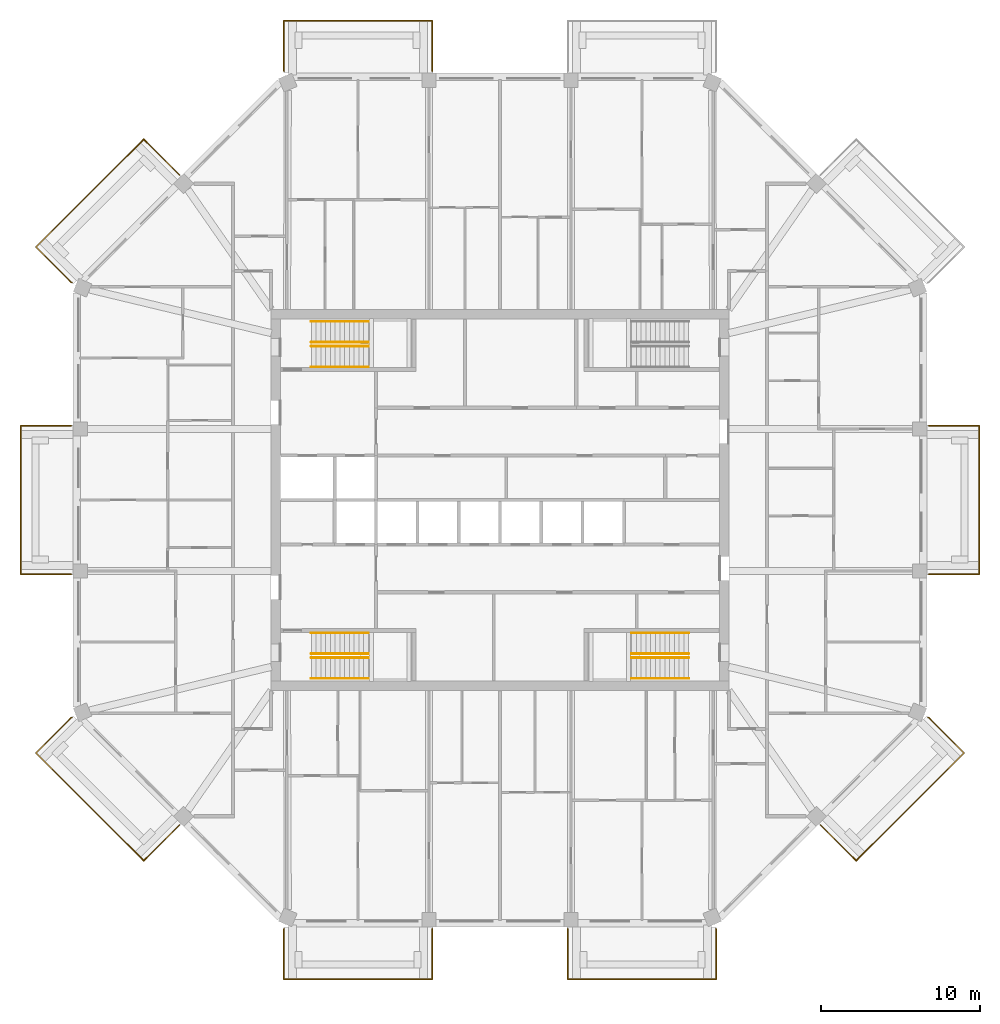
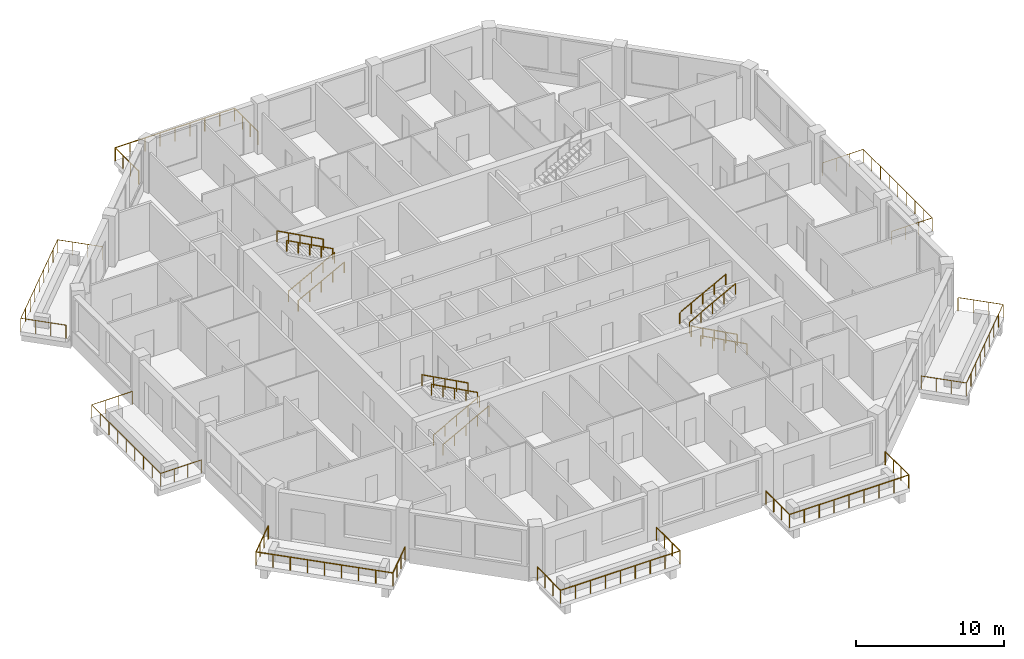
# One storey, part 12 of 13: 20 railings.
"""IFC4 building model written with IfcOpenShell, lengths in metres."""

from ifc_helpers import new_model, si_unit, direction, frame, origin, origin_2d, place, context, subcontext, project, spatial, circle, extrude, material, constituent, constituent_set, type_object, element, save


model = new_model("IFC4")

# Units and contexts
model_context = context("Model", 3, precision=1e-05, world=origin(), true_north=direction((0.0, 1.0)))
body_context = subcontext(model_context, "Body", "Model", "MODEL_VIEW")
ifc_project = project(units=[si_unit("LENGTHUNIT", "METRE"), si_unit("AREAUNIT", "SQUARE_METRE"), si_unit("VOLUMEUNIT", "CUBIC_METRE"), si_unit("PLANEANGLEUNIT", "RADIAN"), si_unit("MASSUNIT", "GRAM", prefix="KILO")], contexts=[model_context])

# Site, building, storey
site_placement = place(None, origin())
site = spatial("IfcSite", under=ifc_project, at=site_placement, CompositionType="ELEMENT")
building_placement = place(site_placement, origin())
building = spatial("IfcBuilding", under=site, at=building_placement, Name="Msitu Wima Residences", CompositionType="ELEMENT")
storey_placement = place(building_placement, frame((0.0, 0.0, 281.10009765625)))
storey = spatial("IfcBuildingStorey", under=building, at=storey_placement, Name="L65", CompositionType="ELEMENT", Elevation=281.10009765625)

# Railings
ifc_material_1 = material(Name="Steel S355", Category="steel")
ifc_constituent_1 = constituent(ifc_material_1, Name="Steel S355")
ifc_material_2 = material(Name="Weathering patina")
ifc_constituent_2 = constituent(ifc_material_2, Name="Weathering patina")
ifc_constituent_set_1 = constituent_set(constituents=[ifc_constituent_1, ifc_constituent_2], Name="Steel S355")
railing_type_1 = type_object("IfcRailingType", Name="Balcony guard GR1100", PredefinedType="GUARDRAIL", material=ifc_constituent_set_1)
railing_1_placement = place(storey_placement, frame((26.97998046875, 4.668701171875, 0.0)))
element("IfcRailing", 1, at=railing_1_placement, inside=storey, type_object=railing_type_1, Name="Balcony guard E1 L65", PredefinedType="GUARDRAIL", context=body_context, shape_type="SweptSolid", body=[
    extrude(circle(Radius=0.02392578125, at=origin_2d()), frame((0.0, 0.0, 1.076171875), z_axis=(1.0, 0.0, 0.0), x_axis=(0.0, 1.0, 0.0)), (0.0, 0.0, 1.0), 3.169921875),
    extrude(circle(Radius=0.02392578125, at=origin_2d()), frame((3.169921875, 0.0, 1.076171875), z_axis=(0.0, -1.0, 0.0), x_axis=(1.0, 0.0, 0.0)), (0.0, 0.0, 1.0), 9.33740234375),
    extrude(circle(Radius=0.02392578125, at=origin_2d()), frame((3.169921875, -9.33740234375, 1.076171875), z_axis=(-1.0, 0.0, 0.0), x_axis=(0.0, -1.0, 0.0)), (0.0, 0.0, 1.0), 3.169921875),
    extrude(circle(Radius=0.02099609375, at=origin_2d()), origin(), (0.0, 0.0, 1.0), 1.052001953125),
    extrude(circle(Radius=0.02099609375, at=origin_2d()), frame((1.056640625, 0.0, 0.0)), (0.0, 0.0, 1.0), 1.052001953125),
    extrude(circle(Radius=0.02099609375, at=origin_2d()), frame((2.11328125, 0.0, 0.0)), (0.0, 0.0, 1.0), 1.052001953125),
    extrude(circle(Radius=0.02099609375, at=origin_2d()), frame((3.169921875, 0.0, 0.0)), (0.0, 0.0, 1.0), 1.052001953125),
    extrude(circle(Radius=0.02099609375, at=origin_2d()), frame((3.169921875, -1.167236328125, 0.0)), (0.0, 0.0, 1.0), 1.052001953125),
    extrude(circle(Radius=0.02099609375, at=origin_2d()), frame((3.169921875, -2.33447265625, 0.0)), (0.0, 0.0, 1.0), 1.052001953125),
    extrude(circle(Radius=0.02099609375, at=origin_2d()), frame((3.169921875, -3.50146484375, 0.0)), (0.0, 0.0, 1.0), 1.052001953125),
    extrude(circle(Radius=0.02099609375, at=origin_2d()), frame((3.169921875, -4.668701171875, 0.0)), (0.0, 0.0, 1.0), 1.052001953125),
    extrude(circle(Radius=0.02099609375, at=origin_2d()), frame((3.169921875, -5.8359375, 0.0)), (0.0, 0.0, 1.0), 1.052001953125),
    extrude(circle(Radius=0.02099609375, at=origin_2d()), frame((3.169921875, -7.0029296875, 0.0)), (0.0, 0.0, 1.0), 1.052001953125),
    extrude(circle(Radius=0.02099609375, at=origin_2d()), frame((3.169921875, -8.170166015625, 0.0)), (0.0, 0.0, 1.0), 1.052001953125),
    extrude(circle(Radius=0.02099609375, at=origin_2d()), frame((3.169921875, -9.33740234375, 0.0)), (0.0, 0.0, 1.0), 1.052001953125),
    extrude(circle(Radius=0.02099609375, at=origin_2d()), frame((2.11328125, -9.33740234375, 0.0)), (0.0, 0.0, 1.0), 1.052001953125),
    extrude(circle(Radius=0.02099609375, at=origin_2d()), frame((1.056640625, -9.33740234375, 0.0)), (0.0, 0.0, 1.0), 1.052001953125),
    extrude(circle(Radius=0.02099609375, at=origin_2d()), frame((0.0, -9.33740234375, 0.0)), (0.0, 0.0, 1.0), 1.052001953125),
])
railing_2_placement = place(storey_placement, frame((-13.592041015625, 26.97998046875, 0.0)))
element("IfcRailing", 2, at=railing_2_placement, inside=storey, type_object=railing_type_1, Name="Balcony guard N2 L65", PredefinedType="GUARDRAIL", context=body_context, shape_type="SweptSolid", body=[
    extrude(circle(Radius=0.02392578125, at=origin_2d()), frame((0.0, 0.0, 1.076171875), z_axis=(-0.384136806859, 0.923276184907, 0.0), x_axis=(-0.923276184907, -0.384136806859, 0.0)), (0.0, 0.0, 1.0), 0.0361328125),
    extrude(circle(Radius=0.02392578125, at=origin_2d()), frame((-0.013916015625, 0.033447265625, 1.076171875), z_axis=(0.0, 1.0, 0.0), x_axis=(-1.0, 0.0, 0.0)), (0.0, 0.0, 1.0), 3.136474609375),
    extrude(circle(Radius=0.02392578125, at=origin_2d()), frame((-0.013916015625, 3.169921875, 1.076171875), z_axis=(1.0, 0.0, 0.0), x_axis=(0.0, 1.0, 0.0)), (0.0, 0.0, 1.0), 9.33740234375),
    extrude(circle(Radius=0.02392578125, at=origin_2d()), frame((9.323486328125, 3.169921875, 1.076171875), z_axis=(0.0, -1.0, 0.0), x_axis=(1.0, 0.0, 0.0)), (0.0, 0.0, 1.0), 3.169921875),
    extrude(circle(Radius=0.02099609375, at=origin_2d()), origin(), (0.0, 0.0, 1.0), 1.052001953125),
    extrude(circle(Radius=0.02099609375, at=origin_2d()), frame((-0.013916015625, 0.033447265625, 0.0)), (0.0, 0.0, 1.0), 1.052001953125),
    extrude(circle(Radius=0.02099609375, at=origin_2d()), frame((-0.013916015625, 1.078857421875, 0.0)), (0.0, 0.0, 1.0), 1.052001953125),
    extrude(circle(Radius=0.02099609375, at=origin_2d()), frame((-0.013916015625, 2.12451171875, 0.0)), (0.0, 0.0, 1.0), 1.052001953125),
    extrude(circle(Radius=0.02099609375, at=origin_2d()), frame((-0.013916015625, 3.169921875, 0.0)), (0.0, 0.0, 1.0), 1.052001953125),
    extrude(circle(Radius=0.02099609375, at=origin_2d()), frame((1.1533203125, 3.169921875, 0.0)), (0.0, 0.0, 1.0), 1.052001953125),
    extrude(circle(Radius=0.02099609375, at=origin_2d()), frame((2.3203125, 3.169921875, 0.0)), (0.0, 0.0, 1.0), 1.052001953125),
    extrude(circle(Radius=0.02099609375, at=origin_2d()), frame((3.487548828125, 3.169921875, 0.0)), (0.0, 0.0, 1.0), 1.052001953125),
    extrude(circle(Radius=0.02099609375, at=origin_2d()), frame((4.65478515625, 3.169921875, 0.0)), (0.0, 0.0, 1.0), 1.052001953125),
    extrude(circle(Radius=0.02099609375, at=origin_2d()), frame((5.822021484375, 3.169921875, 0.0)), (0.0, 0.0, 1.0), 1.052001953125),
    extrude(circle(Radius=0.02099609375, at=origin_2d()), frame((6.9892578125, 3.169921875, 0.0)), (0.0, 0.0, 1.0), 1.052001953125),
    extrude(circle(Radius=0.02099609375, at=origin_2d()), frame((8.15625, 3.169921875, 0.0)), (0.0, 0.0, 1.0), 1.052001953125),
    extrude(circle(Radius=0.02099609375, at=origin_2d()), frame((9.323486328125, 3.169921875, 0.0)), (0.0, 0.0, 1.0), 1.052001953125),
    extrude(circle(Radius=0.02099609375, at=origin_2d()), frame((9.323486328125, 2.11328125, 0.0)), (0.0, 0.0, 1.0), 1.052001953125),
    extrude(circle(Radius=0.02099609375, at=origin_2d()), frame((9.323486328125, 1.056640625, 0.0)), (0.0, 0.0, 1.0), 1.052001953125),
    extrude(circle(Radius=0.02099609375, at=origin_2d()), frame((9.323486328125, 0.0, 0.0)), (0.0, 0.0, 1.0), 1.052001953125),
])
railing_3_placement = place(storey_placement, frame((-26.941650390625, 13.684326171875, 0.0)))
element("IfcRailing", 3, at=railing_3_placement, inside=storey, type_object=railing_type_1, Name="Balcony guard NW1 L65", PredefinedType="GUARDRAIL", context=body_context, shape_type="SweptSolid", body=[
    extrude(circle(Radius=0.02392578125, at=origin_2d()), frame((0.0, 0.0, 1.076171875), z_axis=(-0.92426142649, 0.38176015442, 0.0), x_axis=(-0.38176015442, -0.92426142649, 0.0)), (0.0, 0.0, 1.0), 0.036376953125),
    extrude(circle(Radius=0.02392578125, at=origin_2d()), frame((-0.03369140625, 0.013916015625, 1.076171875), z_axis=(-0.707106781187, 0.707106781187, 0.0), x_axis=(-0.707106781187, -0.707106781187, 0.0)), (0.0, 0.0, 1.0), 3.136474609375),
    extrude(circle(Radius=0.02392578125, at=origin_2d()), frame((-2.25146484375, 2.231689453125, 1.076171875), z_axis=(0.707106781187, 0.707106781187, 0.0), x_axis=(-0.707106781187, 0.707106781187, 0.0)), (0.0, 0.0, 1.0), 9.58837890625),
    extrude(circle(Radius=0.02392578125, at=origin_2d()), frame((4.528564453125, 9.01171875, 1.076171875), z_axis=(0.707106781187, -0.707106781187, 0.0), x_axis=(0.707106781187, 0.707106781187, 0.0)), (0.0, 0.0, 1.0), 3.169921875),
    extrude(circle(Radius=0.02099609375, at=origin_2d()), origin(), (0.0, 0.0, 1.0), 1.052001953125),
    extrude(circle(Radius=0.02099609375, at=origin_2d()), frame((-0.03369140625, 0.013916015625, 0.0)), (0.0, 0.0, 1.0), 1.052001953125),
    extrude(circle(Radius=0.02099609375, at=origin_2d()), frame((-0.77294921875, 0.753173828125, 0.0)), (0.0, 0.0, 1.0), 1.052001953125),
    extrude(circle(Radius=0.02099609375, at=origin_2d()), frame((-1.51220703125, 1.492431640625, 0.0)), (0.0, 0.0, 1.0), 1.052001953125),
    extrude(circle(Radius=0.02099609375, at=origin_2d()), frame((-2.25146484375, 2.231689453125, 0.0)), (0.0, 0.0, 1.0), 1.052001953125),
    extrude(circle(Radius=0.02099609375, at=origin_2d()), frame((-1.404052734375, 3.0791015625, 0.0)), (0.0, 0.0, 1.0), 1.052001953125),
    extrude(circle(Radius=0.02099609375, at=origin_2d()), frame((-0.556396484375, 3.9267578125, 0.0)), (0.0, 0.0, 1.0), 1.052001953125),
    extrude(circle(Radius=0.02099609375, at=origin_2d()), frame((0.291015625, 4.774169921875, 0.0)), (0.0, 0.0, 1.0), 1.052001953125),
    extrude(circle(Radius=0.02099609375, at=origin_2d()), frame((1.138671875, 5.62158203125, 0.0)), (0.0, 0.0, 1.0), 1.052001953125),
    extrude(circle(Radius=0.02099609375, at=origin_2d()), frame((1.986083984375, 6.46923828125, 0.0)), (0.0, 0.0, 1.0), 1.052001953125),
    extrude(circle(Radius=0.02099609375, at=origin_2d()), frame((2.83349609375, 7.316650390625, 0.0)), (0.0, 0.0, 1.0), 1.052001953125),
    extrude(circle(Radius=0.02099609375, at=origin_2d()), frame((3.68115234375, 8.164306640625, 0.0)), (0.0, 0.0, 1.0), 1.052001953125),
    extrude(circle(Radius=0.02099609375, at=origin_2d()), frame((4.528564453125, 9.01171875, 0.0)), (0.0, 0.0, 1.0), 1.052001953125),
    extrude(circle(Radius=0.02099609375, at=origin_2d()), frame((5.275634765625, 8.2646484375, 0.0)), (0.0, 0.0, 1.0), 1.052001953125),
    extrude(circle(Radius=0.02099609375, at=origin_2d()), frame((6.02294921875, 7.517333984375, 0.0)), (0.0, 0.0, 1.0), 1.052001953125),
    extrude(circle(Radius=0.02099609375, at=origin_2d()), frame((6.77001953125, 6.770263671875, 0.0)), (0.0, 0.0, 1.0), 1.052001953125),
])
railing_4_placement = place(storey_placement, frame((-26.97998046875, -4.668701171875, 0.0)))
element("IfcRailing", 4, at=railing_4_placement, inside=storey, type_object=railing_type_1, Name="Balcony guard W1 L65", PredefinedType="GUARDRAIL", context=body_context, shape_type="SweptSolid", body=[
    extrude(circle(Radius=0.02392578125, at=origin_2d()), frame((0.0, 0.0, 1.076171875), z_axis=(-1.0, 0.0, 0.0), x_axis=(0.0, -1.0, 0.0)), (0.0, 0.0, 1.0), 3.169921875),
    extrude(circle(Radius=0.02392578125, at=origin_2d()), frame((-3.169921875, 0.0, 1.076171875), z_axis=(0.0, 1.0, 0.0), x_axis=(-1.0, 0.0, 0.0)), (0.0, 0.0, 1.0), 9.33740234375),
    extrude(circle(Radius=0.02392578125, at=origin_2d()), frame((-3.169921875, 9.33740234375, 1.076171875), z_axis=(1.0, 0.0, 0.0), x_axis=(0.0, 1.0, 0.0)), (0.0, 0.0, 1.0), 3.169921875),
    extrude(circle(Radius=0.02099609375, at=origin_2d()), origin(), (0.0, 0.0, 1.0), 1.052001953125),
    extrude(circle(Radius=0.02099609375, at=origin_2d()), frame((-1.056640625, 0.0, 0.0)), (0.0, 0.0, 1.0), 1.052001953125),
    extrude(circle(Radius=0.02099609375, at=origin_2d()), frame((-2.11328125, 0.0, 0.0)), (0.0, 0.0, 1.0), 1.052001953125),
    extrude(circle(Radius=0.02099609375, at=origin_2d()), frame((-3.169921875, 0.0, 0.0)), (0.0, 0.0, 1.0), 1.052001953125),
    extrude(circle(Radius=0.02099609375, at=origin_2d()), frame((-3.169921875, 1.167236328125, 0.0)), (0.0, 0.0, 1.0), 1.052001953125),
    extrude(circle(Radius=0.02099609375, at=origin_2d()), frame((-3.169921875, 2.33447265625, 0.0)), (0.0, 0.0, 1.0), 1.052001953125),
    extrude(circle(Radius=0.02099609375, at=origin_2d()), frame((-3.169921875, 3.50146484375, 0.0)), (0.0, 0.0, 1.0), 1.052001953125),
    extrude(circle(Radius=0.02099609375, at=origin_2d()), frame((-3.169921875, 4.668701171875, 0.0)), (0.0, 0.0, 1.0), 1.052001953125),
    extrude(circle(Radius=0.02099609375, at=origin_2d()), frame((-3.169921875, 5.8359375, 0.0)), (0.0, 0.0, 1.0), 1.052001953125),
    extrude(circle(Radius=0.02099609375, at=origin_2d()), frame((-3.169921875, 7.0029296875, 0.0)), (0.0, 0.0, 1.0), 1.052001953125),
    extrude(circle(Radius=0.02099609375, at=origin_2d()), frame((-3.169921875, 8.170166015625, 0.0)), (0.0, 0.0, 1.0), 1.052001953125),
    extrude(circle(Radius=0.02099609375, at=origin_2d()), frame((-3.169921875, 9.33740234375, 0.0)), (0.0, 0.0, 1.0), 1.052001953125),
    extrude(circle(Radius=0.02099609375, at=origin_2d()), frame((-2.11328125, 9.33740234375, 0.0)), (0.0, 0.0, 1.0), 1.052001953125),
    extrude(circle(Radius=0.02099609375, at=origin_2d()), frame((-1.056640625, 9.33740234375, 0.0)), (0.0, 0.0, 1.0), 1.052001953125),
    extrude(circle(Radius=0.02099609375, at=origin_2d()), frame((0.0, 9.33740234375, 0.0)), (0.0, 0.0, 1.0), 1.052001953125),
])
railing_5_placement = place(storey_placement, frame((-20.171630859375, -20.45458984375, 0.0)))
element("IfcRailing", 5, at=railing_5_placement, inside=storey, type_object=railing_type_1, Name="Balcony guard SW0 L65", PredefinedType="GUARDRAIL", context=body_context, shape_type="SweptSolid", body=[
    extrude(circle(Radius=0.02392578125, at=origin_2d()), frame((0.0, 0.0, 1.076171875), z_axis=(-0.707106781187, -0.707106781187, 0.0), x_axis=(0.707106781187, -0.707106781187, 0.0)), (0.0, 0.0, 1.0), 3.169921875),
    extrude(circle(Radius=0.02392578125, at=origin_2d()), frame((-2.241455078125, -2.241455078125, 1.076171875), z_axis=(-0.707106781187, 0.707106781187, 0.0), x_axis=(-0.707106781187, -0.707106781187, 0.0)), (0.0, 0.0, 1.0), 9.58837890625),
    extrude(circle(Radius=0.02392578125, at=origin_2d()), frame((-9.021484375, 4.53857421875, 1.076171875), z_axis=(0.707106781187, 0.707106781187, 0.0), x_axis=(-0.707106781187, 0.707106781187, 0.0)), (0.0, 0.0, 1.0), 3.136474609375),
    extrude(circle(Radius=0.02392578125, at=origin_2d()), frame((-6.8037109375, 6.75634765625, 1.076171875), z_axis=(0.92426142649, 0.38176015442, 0.0), x_axis=(-0.38176015442, 0.92426142649, 0.0)), (0.0, 0.0, 1.0), 0.036376953125),
    extrude(circle(Radius=0.02099609375, at=origin_2d()), origin(), (0.0, 0.0, 1.0), 1.052001953125),
    extrude(circle(Radius=0.02099609375, at=origin_2d()), frame((-0.7470703125, -0.7470703125, 0.0)), (0.0, 0.0, 1.0), 1.052001953125),
    extrude(circle(Radius=0.02099609375, at=origin_2d()), frame((-1.494384765625, -1.494384765625, 0.0)), (0.0, 0.0, 1.0), 1.052001953125),
    extrude(circle(Radius=0.02099609375, at=origin_2d()), frame((-2.241455078125, -2.241455078125, 0.0)), (0.0, 0.0, 1.0), 1.052001953125),
    extrude(circle(Radius=0.02099609375, at=origin_2d()), frame((-3.0888671875, -1.39404296875, 0.0)), (0.0, 0.0, 1.0), 1.052001953125),
    extrude(circle(Radius=0.02099609375, at=origin_2d()), frame((-3.9365234375, -0.54638671875, 0.0)), (0.0, 0.0, 1.0), 1.052001953125),
    extrude(circle(Radius=0.02099609375, at=origin_2d()), frame((-4.783935546875, 0.301025390625, 0.0)), (0.0, 0.0, 1.0), 1.052001953125),
    extrude(circle(Radius=0.02099609375, at=origin_2d()), frame((-5.63134765625, 1.1484375, 0.0)), (0.0, 0.0, 1.0), 1.052001953125),
    extrude(circle(Radius=0.02099609375, at=origin_2d()), frame((-6.47900390625, 1.99609375, 0.0)), (0.0, 0.0, 1.0), 1.052001953125),
    extrude(circle(Radius=0.02099609375, at=origin_2d()), frame((-7.326416015625, 2.843505859375, 0.0)), (0.0, 0.0, 1.0), 1.052001953125),
    extrude(circle(Radius=0.02099609375, at=origin_2d()), frame((-8.174072265625, 3.691162109375, 0.0)), (0.0, 0.0, 1.0), 1.052001953125),
    extrude(circle(Radius=0.02099609375, at=origin_2d()), frame((-9.021484375, 4.53857421875, 0.0)), (0.0, 0.0, 1.0), 1.052001953125),
    extrude(circle(Radius=0.02099609375, at=origin_2d()), frame((-8.2822265625, 5.27783203125, 0.0)), (0.0, 0.0, 1.0), 1.052001953125),
    extrude(circle(Radius=0.02099609375, at=origin_2d()), frame((-7.54296875, 6.01708984375, 0.0)), (0.0, 0.0, 1.0), 1.052001953125),
    extrude(circle(Radius=0.02099609375, at=origin_2d()), frame((-6.8037109375, 6.75634765625, 0.0)), (0.0, 0.0, 1.0), 1.052001953125),
    extrude(circle(Radius=0.02099609375, at=origin_2d()), frame((-6.77001953125, 6.770263671875, 0.0)), (0.0, 0.0, 1.0), 1.052001953125),
])
railing_6_placement = place(storey_placement, frame((-4.2685546875, -26.97998046875, 0.0)))
element("IfcRailing", 6, at=railing_6_placement, inside=storey, type_object=railing_type_1, Name="Balcony guard S0 L65", PredefinedType="GUARDRAIL", context=body_context, shape_type="SweptSolid", body=[
    extrude(circle(Radius=0.02392578125, at=origin_2d()), frame((0.0, 0.0, 1.076171875), z_axis=(0.0, -1.0, 0.0), x_axis=(1.0, 0.0, 0.0)), (0.0, 0.0, 1.0), 3.169921875),
    extrude(circle(Radius=0.02392578125, at=origin_2d()), frame((0.0, -3.169921875, 1.076171875), z_axis=(-1.0, 0.0, 0.0), x_axis=(0.0, -1.0, 0.0)), (0.0, 0.0, 1.0), 9.33740234375),
    extrude(circle(Radius=0.02392578125, at=origin_2d()), frame((-9.33740234375, -3.169921875, 1.076171875), z_axis=(0.0, 1.0, 0.0), x_axis=(-1.0, 0.0, 0.0)), (0.0, 0.0, 1.0), 3.136474609375),
    extrude(circle(Radius=0.02392578125, at=origin_2d()), frame((-9.33740234375, -0.033447265625, 1.076171875), z_axis=(0.384136806859, 0.923276184907, 0.0), x_axis=(-0.923276184907, 0.384136806859, 0.0)), (0.0, 0.0, 1.0), 0.0361328125),
    extrude(circle(Radius=0.02099609375, at=origin_2d()), origin(), (0.0, 0.0, 1.0), 1.052001953125),
    extrude(circle(Radius=0.02099609375, at=origin_2d()), frame((0.0, -1.056640625, 0.0)), (0.0, 0.0, 1.0), 1.052001953125),
    extrude(circle(Radius=0.02099609375, at=origin_2d()), frame((0.0, -2.11328125, 0.0)), (0.0, 0.0, 1.0), 1.052001953125),
    extrude(circle(Radius=0.02099609375, at=origin_2d()), frame((0.0, -3.169921875, 0.0)), (0.0, 0.0, 1.0), 1.052001953125),
    extrude(circle(Radius=0.02099609375, at=origin_2d()), frame((-1.167236328125, -3.169921875, 0.0)), (0.0, 0.0, 1.0), 1.052001953125),
    extrude(circle(Radius=0.02099609375, at=origin_2d()), frame((-2.33447265625, -3.169921875, 0.0)), (0.0, 0.0, 1.0), 1.052001953125),
    extrude(circle(Radius=0.02099609375, at=origin_2d()), frame((-3.50146484375, -3.169921875, 0.0)), (0.0, 0.0, 1.0), 1.052001953125),
    extrude(circle(Radius=0.02099609375, at=origin_2d()), frame((-4.668701171875, -3.169921875, 0.0)), (0.0, 0.0, 1.0), 1.052001953125),
    extrude(circle(Radius=0.02099609375, at=origin_2d()), frame((-5.8359375, -3.169921875, 0.0)), (0.0, 0.0, 1.0), 1.052001953125),
    extrude(circle(Radius=0.02099609375, at=origin_2d()), frame((-7.0029296875, -3.169921875, 0.0)), (0.0, 0.0, 1.0), 1.052001953125),
    extrude(circle(Radius=0.02099609375, at=origin_2d()), frame((-8.170166015625, -3.169921875, 0.0)), (0.0, 0.0, 1.0), 1.052001953125),
    extrude(circle(Radius=0.02099609375, at=origin_2d()), frame((-9.33740234375, -3.169921875, 0.0)), (0.0, 0.0, 1.0), 1.052001953125),
    extrude(circle(Radius=0.02099609375, at=origin_2d()), frame((-9.33740234375, -2.12451171875, 0.0)), (0.0, 0.0, 1.0), 1.052001953125),
    extrude(circle(Radius=0.02099609375, at=origin_2d()), frame((-9.33740234375, -1.078857421875, 0.0)), (0.0, 0.0, 1.0), 1.052001953125),
    extrude(circle(Radius=0.02099609375, at=origin_2d()), frame((-9.33740234375, -0.033447265625, 0.0)), (0.0, 0.0, 1.0), 1.052001953125),
    extrude(circle(Radius=0.02099609375, at=origin_2d()), frame((-9.323486328125, 0.0, 0.0)), (0.0, 0.0, 1.0), 1.052001953125),
])
railing_7_placement = place(storey_placement, frame((13.592041015625, -26.97998046875, 0.0)))
element("IfcRailing", 7, at=railing_7_placement, inside=storey, type_object=railing_type_1, Name="Balcony guard S2 L65", PredefinedType="GUARDRAIL", context=body_context, shape_type="SweptSolid", body=[
    extrude(circle(Radius=0.02392578125, at=origin_2d()), frame((0.0, 0.0, 1.076171875), z_axis=(0.384136806859, -0.923276184907, 0.0), x_axis=(0.923276184907, 0.384136806859, 0.0)), (0.0, 0.0, 1.0), 0.0361328125),
    extrude(circle(Radius=0.02392578125, at=origin_2d()), frame((0.013916015625, -0.033447265625, 1.076171875), z_axis=(0.0, -1.0, 0.0), x_axis=(1.0, 0.0, 0.0)), (0.0, 0.0, 1.0), 3.136474609375),
    extrude(circle(Radius=0.02392578125, at=origin_2d()), frame((0.013916015625, -3.169921875, 1.076171875), z_axis=(-1.0, 0.0, 0.0), x_axis=(0.0, -1.0, 0.0)), (0.0, 0.0, 1.0), 9.33740234375),
    extrude(circle(Radius=0.02392578125, at=origin_2d()), frame((-9.323486328125, -3.169921875, 1.076171875), z_axis=(0.0, 1.0, 0.0), x_axis=(-1.0, 0.0, 0.0)), (0.0, 0.0, 1.0), 3.169921875),
    extrude(circle(Radius=0.02099609375, at=origin_2d()), origin(), (0.0, 0.0, 1.0), 1.052001953125),
    extrude(circle(Radius=0.02099609375, at=origin_2d()), frame((0.013916015625, -0.033447265625, 0.0)), (0.0, 0.0, 1.0), 1.052001953125),
    extrude(circle(Radius=0.02099609375, at=origin_2d()), frame((0.013916015625, -1.078857421875, 0.0)), (0.0, 0.0, 1.0), 1.052001953125),
    extrude(circle(Radius=0.02099609375, at=origin_2d()), frame((0.013916015625, -2.12451171875, 0.0)), (0.0, 0.0, 1.0), 1.052001953125),
    extrude(circle(Radius=0.02099609375, at=origin_2d()), frame((0.013916015625, -3.169921875, 0.0)), (0.0, 0.0, 1.0), 1.052001953125),
    extrude(circle(Radius=0.02099609375, at=origin_2d()), frame((-1.1533203125, -3.169921875, 0.0)), (0.0, 0.0, 1.0), 1.052001953125),
    extrude(circle(Radius=0.02099609375, at=origin_2d()), frame((-2.3203125, -3.169921875, 0.0)), (0.0, 0.0, 1.0), 1.052001953125),
    extrude(circle(Radius=0.02099609375, at=origin_2d()), frame((-3.487548828125, -3.169921875, 0.0)), (0.0, 0.0, 1.0), 1.052001953125),
    extrude(circle(Radius=0.02099609375, at=origin_2d()), frame((-4.65478515625, -3.169921875, 0.0)), (0.0, 0.0, 1.0), 1.052001953125),
    extrude(circle(Radius=0.02099609375, at=origin_2d()), frame((-5.822021484375, -3.169921875, 0.0)), (0.0, 0.0, 1.0), 1.052001953125),
    extrude(circle(Radius=0.02099609375, at=origin_2d()), frame((-6.9892578125, -3.169921875, 0.0)), (0.0, 0.0, 1.0), 1.052001953125),
    extrude(circle(Radius=0.02099609375, at=origin_2d()), frame((-8.15625, -3.169921875, 0.0)), (0.0, 0.0, 1.0), 1.052001953125),
    extrude(circle(Radius=0.02099609375, at=origin_2d()), frame((-9.323486328125, -3.169921875, 0.0)), (0.0, 0.0, 1.0), 1.052001953125),
    extrude(circle(Radius=0.02099609375, at=origin_2d()), frame((-9.323486328125, -2.11328125, 0.0)), (0.0, 0.0, 1.0), 1.052001953125),
    extrude(circle(Radius=0.02099609375, at=origin_2d()), frame((-9.323486328125, -1.056640625, 0.0)), (0.0, 0.0, 1.0), 1.052001953125),
    extrude(circle(Radius=0.02099609375, at=origin_2d()), frame((-9.323486328125, 0.0, 0.0)), (0.0, 0.0, 1.0), 1.052001953125),
])
railing_8_placement = place(storey_placement, frame((26.941650390625, -13.684326171875, 0.0)))
element("IfcRailing", 8, at=railing_8_placement, inside=storey, type_object=railing_type_1, Name="Balcony guard SE1 L65", PredefinedType="GUARDRAIL", context=body_context, shape_type="SweptSolid", body=[
    extrude(circle(Radius=0.02392578125, at=origin_2d()), frame((0.0, 0.0, 1.076171875), z_axis=(0.92426142649, -0.38176015442, 0.0), x_axis=(0.38176015442, 0.92426142649, 0.0)), (0.0, 0.0, 1.0), 0.036376953125),
    extrude(circle(Radius=0.02392578125, at=origin_2d()), frame((0.03369140625, -0.013916015625, 1.076171875), z_axis=(0.707106781187, -0.707106781187, 0.0), x_axis=(0.707106781187, 0.707106781187, 0.0)), (0.0, 0.0, 1.0), 3.136474609375),
    extrude(circle(Radius=0.02392578125, at=origin_2d()), frame((2.25146484375, -2.231689453125, 1.076171875), z_axis=(-0.707106781187, -0.707106781187, 0.0), x_axis=(0.707106781187, -0.707106781187, 0.0)), (0.0, 0.0, 1.0), 9.58837890625),
    extrude(circle(Radius=0.02392578125, at=origin_2d()), frame((-4.528564453125, -9.01171875, 1.076171875), z_axis=(-0.707106781187, 0.707106781187, 0.0), x_axis=(-0.707106781187, -0.707106781187, 0.0)), (0.0, 0.0, 1.0), 3.169921875),
    extrude(circle(Radius=0.02099609375, at=origin_2d()), origin(), (0.0, 0.0, 1.0), 1.052001953125),
    extrude(circle(Radius=0.02099609375, at=origin_2d()), frame((0.03369140625, -0.013916015625, 0.0)), (0.0, 0.0, 1.0), 1.052001953125),
    extrude(circle(Radius=0.02099609375, at=origin_2d()), frame((0.77294921875, -0.753173828125, 0.0)), (0.0, 0.0, 1.0), 1.052001953125),
    extrude(circle(Radius=0.02099609375, at=origin_2d()), frame((1.51220703125, -1.492431640625, 0.0)), (0.0, 0.0, 1.0), 1.052001953125),
    extrude(circle(Radius=0.02099609375, at=origin_2d()), frame((2.25146484375, -2.231689453125, 0.0)), (0.0, 0.0, 1.0), 1.052001953125),
    extrude(circle(Radius=0.02099609375, at=origin_2d()), frame((1.404052734375, -3.0791015625, 0.0)), (0.0, 0.0, 1.0), 1.052001953125),
    extrude(circle(Radius=0.02099609375, at=origin_2d()), frame((0.556396484375, -3.9267578125, 0.0)), (0.0, 0.0, 1.0), 1.052001953125),
    extrude(circle(Radius=0.02099609375, at=origin_2d()), frame((-0.291015625, -4.774169921875, 0.0)), (0.0, 0.0, 1.0), 1.052001953125),
    extrude(circle(Radius=0.02099609375, at=origin_2d()), frame((-1.138671875, -5.62158203125, 0.0)), (0.0, 0.0, 1.0), 1.052001953125),
    extrude(circle(Radius=0.02099609375, at=origin_2d()), frame((-1.986083984375, -6.46923828125, 0.0)), (0.0, 0.0, 1.0), 1.052001953125),
    extrude(circle(Radius=0.02099609375, at=origin_2d()), frame((-2.83349609375, -7.316650390625, 0.0)), (0.0, 0.0, 1.0), 1.052001953125),
    extrude(circle(Radius=0.02099609375, at=origin_2d()), frame((-3.68115234375, -8.164306640625, 0.0)), (0.0, 0.0, 1.0), 1.052001953125),
    extrude(circle(Radius=0.02099609375, at=origin_2d()), frame((-4.528564453125, -9.01171875, 0.0)), (0.0, 0.0, 1.0), 1.052001953125),
    extrude(circle(Radius=0.02099609375, at=origin_2d()), frame((-5.275634765625, -8.2646484375, 0.0)), (0.0, 0.0, 1.0), 1.052001953125),
    extrude(circle(Radius=0.02099609375, at=origin_2d()), frame((-6.02294921875, -7.517333984375, 0.0)), (0.0, 0.0, 1.0), 1.052001953125),
    extrude(circle(Radius=0.02099609375, at=origin_2d()), frame((-6.77001953125, -6.770263671875, 0.0)), (0.0, 0.0, 1.0), 1.052001953125),
])
ifc_constituent_3 = constituent(ifc_material_1, Name="Steel S355")
ifc_material_3 = material(Name="Black powder coating")
ifc_constituent_4 = constituent(ifc_material_3, Name="Black powder coating")
ifc_constituent_set_2 = constituent_set(constituents=[ifc_constituent_3, ifc_constituent_4], Name="Steel S355")
railing_type_2 = type_object("IfcRailingType", Name="Stair handrail HR1", PredefinedType="HANDRAIL", material=ifc_constituent_set_2)
for number, where, name in (
    (9, (-11.875, 8.375, 0.161376953125), "Stair 1 handrail"),
    (10, (-11.875, 9.675048828125, 0.161376953125), "Stair 1 handrail"),
):
    element("IfcRailing", number, at=place(storey_placement, frame(where)), inside=storey, type_object=railing_type_2, Name=name, PredefinedType="HANDRAIL", context=body_context, shape_type="SweptSolid", body=[
        extrude(circle(Radius=0.02392578125, at=origin_2d()), frame((0.0, 0.0, 0.8759765625), z_axis=(0.880474934443, 0.0, 0.474092701714), x_axis=(0.0, 1.0, 0.0)), (0.0, 0.0, 1.0), 4.0888671875),
        extrude(circle(Radius=0.02099609375, at=origin_2d()), origin(), (0.0, 0.0, 1.0), 0.851806640625),
        extrude(circle(Radius=0.02099609375, at=origin_2d()), frame((0.89990234375, 0.0, 0.484619140625)), (0.0, 0.0, 1.0), 0.851806640625),
        extrude(circle(Radius=0.02099609375, at=origin_2d()), frame((1.800048828125, 0.0, 0.96923828125)), (0.0, 0.0, 1.0), 0.851806640625),
        extrude(circle(Radius=0.02099609375, at=origin_2d()), frame((2.7001953125, 0.0, 1.453857421875)), (0.0, 0.0, 1.0), 0.851806640625),
        extrude(circle(Radius=0.02099609375, at=origin_2d()), frame((3.60009765625, 0.0, 1.9384765625)), (0.0, 0.0, 1.0), 0.851806640625),
    ])
for number, where, name in (
    (11, (-8.27490234375, 9.925048828125, 2.261474609375), "Stair 1 handrail"),
    (12, (-8.27490234375, 11.22509765625, 2.261474609375), "Stair 1 handrail"),
):
    element("IfcRailing", number, at=place(storey_placement, frame(where)), inside=storey, type_object=railing_type_2, Name=name, PredefinedType="HANDRAIL", context=body_context, shape_type="SweptSolid", body=[
        extrude(circle(Radius=0.02392578125, at=origin_2d()), frame((0.0, 0.0, 0.8759765625), z_axis=(-0.880474934443, 0.0, 0.474092701714), x_axis=(0.0, -1.0, 0.0)), (0.0, 0.0, 1.0), 4.0888671875),
        extrude(circle(Radius=0.02099609375, at=origin_2d()), origin(), (0.0, 0.0, 1.0), 0.851806640625),
        extrude(circle(Radius=0.02099609375, at=origin_2d()), frame((-0.89990234375, 0.0, 0.484619140625)), (0.0, 0.0, 1.0), 0.851806640625),
        extrude(circle(Radius=0.02099609375, at=origin_2d()), frame((-1.800048828125, 0.0, 0.96923828125)), (0.0, 0.0, 1.0), 0.851806640625),
        extrude(circle(Radius=0.02099609375, at=origin_2d()), frame((-2.7001953125, 0.0, 1.453857421875)), (0.0, 0.0, 1.0), 0.851806640625),
        extrude(circle(Radius=0.02099609375, at=origin_2d()), frame((-3.60009765625, 0.0, 1.9384765625)), (0.0, 0.0, 1.0), 0.851806640625),
    ])
for number, where, name in (
    (13, (-11.875, -11.22509765625, 0.161376953125), "Stair 2 handrail"),
    (14, (-11.875, -9.925048828125, 0.161376953125), "Stair 2 handrail"),
):
    element("IfcRailing", number, at=place(storey_placement, frame(where)), inside=storey, type_object=railing_type_2, Name=name, PredefinedType="HANDRAIL", context=body_context, shape_type="SweptSolid", body=[
        extrude(circle(Radius=0.02392578125, at=origin_2d()), frame((0.0, 0.0, 0.8759765625), z_axis=(0.880474934443, 0.0, 0.474092701714), x_axis=(0.0, 1.0, 0.0)), (0.0, 0.0, 1.0), 4.0888671875),
        extrude(circle(Radius=0.02099609375, at=origin_2d()), origin(), (0.0, 0.0, 1.0), 0.851806640625),
        extrude(circle(Radius=0.02099609375, at=origin_2d()), frame((0.89990234375, 0.0, 0.484619140625)), (0.0, 0.0, 1.0), 0.851806640625),
        extrude(circle(Radius=0.02099609375, at=origin_2d()), frame((1.800048828125, 0.0, 0.96923828125)), (0.0, 0.0, 1.0), 0.851806640625),
        extrude(circle(Radius=0.02099609375, at=origin_2d()), frame((2.7001953125, 0.0, 1.453857421875)), (0.0, 0.0, 1.0), 0.851806640625),
        extrude(circle(Radius=0.02099609375, at=origin_2d()), frame((3.60009765625, 0.0, 1.9384765625)), (0.0, 0.0, 1.0), 0.851806640625),
    ])
for number, where, name in (
    (15, (-8.27490234375, -9.675048828125, 2.261474609375), "Stair 2 handrail"),
    (16, (-8.27490234375, -8.375, 2.261474609375), "Stair 2 handrail"),
    (17, (11.875, -11.22509765625, 0.161376953125), "Stair 4 handrail"),
    (18, (11.875, -9.925048828125, 0.161376953125), "Stair 4 handrail"),
):
    element("IfcRailing", number, at=place(storey_placement, frame(where)), inside=storey, type_object=railing_type_2, Name=name, PredefinedType="HANDRAIL", context=body_context, shape_type="SweptSolid", body=[
        extrude(circle(Radius=0.02392578125, at=origin_2d()), frame((0.0, 0.0, 0.8759765625), z_axis=(-0.880474934443, 0.0, 0.474092701714), x_axis=(0.0, -1.0, 0.0)), (0.0, 0.0, 1.0), 4.0888671875),
        extrude(circle(Radius=0.02099609375, at=origin_2d()), origin(), (0.0, 0.0, 1.0), 0.851806640625),
        extrude(circle(Radius=0.02099609375, at=origin_2d()), frame((-0.89990234375, 0.0, 0.484619140625)), (0.0, 0.0, 1.0), 0.851806640625),
        extrude(circle(Radius=0.02099609375, at=origin_2d()), frame((-1.800048828125, 0.0, 0.96923828125)), (0.0, 0.0, 1.0), 0.851806640625),
        extrude(circle(Radius=0.02099609375, at=origin_2d()), frame((-2.7001953125, 0.0, 1.453857421875)), (0.0, 0.0, 1.0), 0.851806640625),
        extrude(circle(Radius=0.02099609375, at=origin_2d()), frame((-3.60009765625, 0.0, 1.9384765625)), (0.0, 0.0, 1.0), 0.851806640625),
    ])
for number, where, name in (
    (19, (8.27490234375, -9.675048828125, 2.261474609375), "Stair 4 handrail"),
    (20, (8.27490234375, -8.375, 2.261474609375), "Stair 4 handrail"),
):
    element("IfcRailing", number, at=place(storey_placement, frame(where)), inside=storey, type_object=railing_type_2, Name=name, PredefinedType="HANDRAIL", context=body_context, shape_type="SweptSolid", body=[
        extrude(circle(Radius=0.02392578125, at=origin_2d()), frame((0.0, 0.0, 0.8759765625), z_axis=(0.880474934443, 0.0, 0.474092701714), x_axis=(0.0, 1.0, 0.0)), (0.0, 0.0, 1.0), 4.0888671875),
        extrude(circle(Radius=0.02099609375, at=origin_2d()), origin(), (0.0, 0.0, 1.0), 0.851806640625),
        extrude(circle(Radius=0.02099609375, at=origin_2d()), frame((0.89990234375, 0.0, 0.484619140625)), (0.0, 0.0, 1.0), 0.851806640625),
        extrude(circle(Radius=0.02099609375, at=origin_2d()), frame((1.800048828125, 0.0, 0.96923828125)), (0.0, 0.0, 1.0), 0.851806640625),
        extrude(circle(Radius=0.02099609375, at=origin_2d()), frame((2.7001953125, 0.0, 1.453857421875)), (0.0, 0.0, 1.0), 0.851806640625),
        extrude(circle(Radius=0.02099609375, at=origin_2d()), frame((3.60009765625, 0.0, 1.9384765625)), (0.0, 0.0, 1.0), 0.851806640625),
    ])

save(model, "model.ifc")
